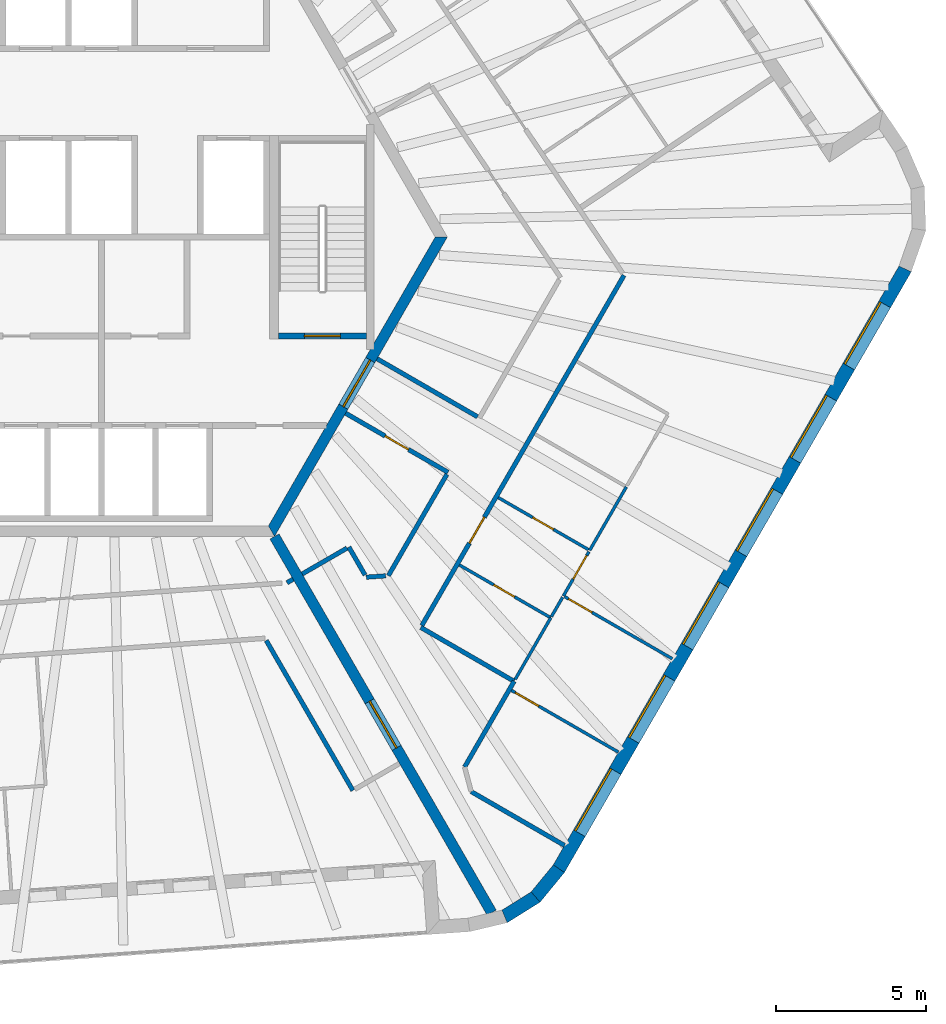
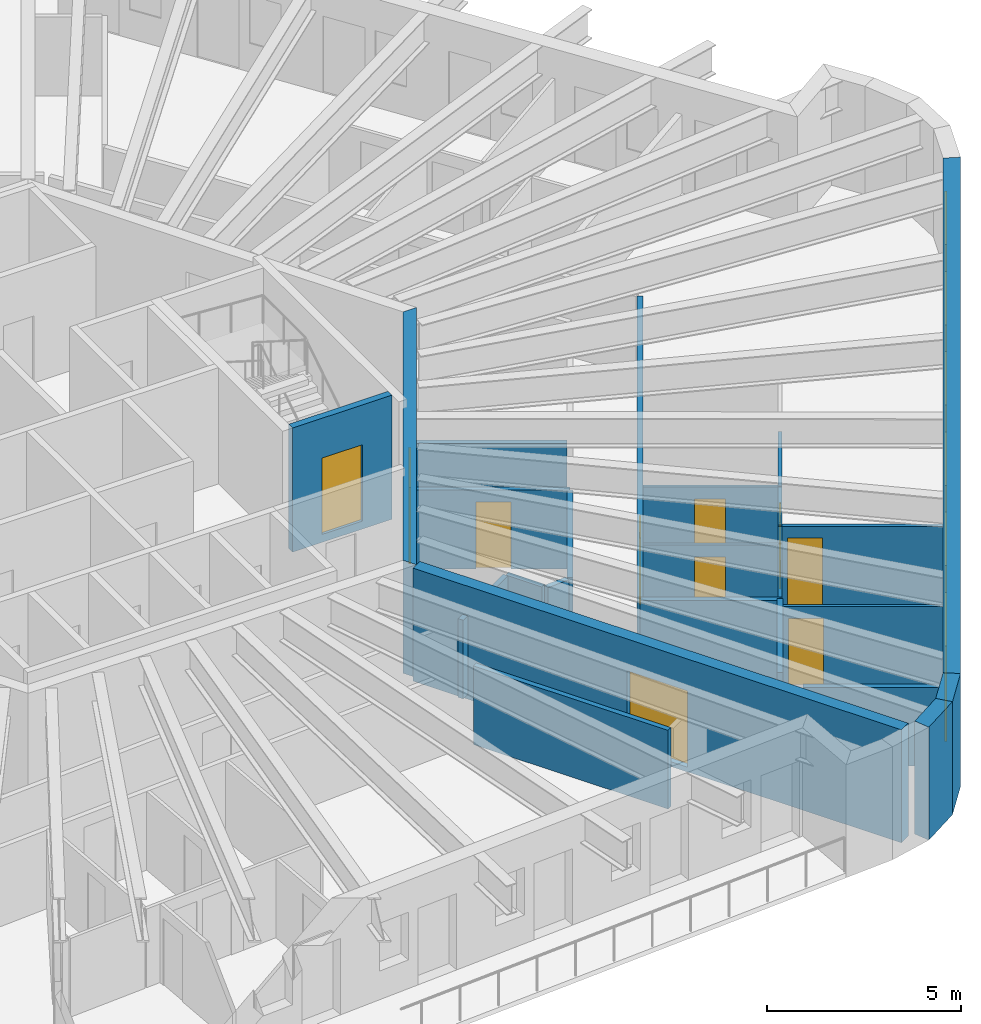
# One storey, part 6 of 11: 26 walls, 10 doors, 6 windows, 16 openings.
"""IFC4 building model written with IfcOpenShell, lengths in metres."""

from ifc_helpers import new_model, si_unit, direction, frame, frame_2d, origin, place, context, subcontext, project, spatial, polyline, rectangle, outline, extrude, material, layer, layer_set, type_object, element, fill, save


model = new_model("IFC4")

# Units and contexts
model_context = context("Model", 3, precision=1e-05, world=origin(), true_north=direction((0.0, 1.0)))
body_context = subcontext(model_context, "Body", "Model", "MODEL_VIEW")
ifc_project = project(units=[si_unit("LENGTHUNIT", "METRE"), si_unit("AREAUNIT", "SQUARE_METRE"), si_unit("VOLUMEUNIT", "CUBIC_METRE"), si_unit("PLANEANGLEUNIT", "RADIAN"), si_unit("MASSUNIT", "GRAM", prefix="KILO")], contexts=[model_context])

# Site, building, storey
site_placement = place(None, origin())
site = spatial("IfcSite", under=ifc_project, at=site_placement, CompositionType="ELEMENT")
building_placement = place(site_placement, origin())
building = spatial("IfcBuilding", under=site, at=building_placement, Name="Tarnside Tower", CompositionType="ELEMENT")
storey_placement = place(building_placement, frame((0.0, 0.0, 372.89990234375)))
storey = spatial("IfcBuildingStorey", under=building, at=storey_placement, Name="L90", CompositionType="ELEMENT", Elevation=372.89990234375)

# Wall
ifc_material_1 = material(Name="Gypsum board partition on steel studs", Category="steel")
ifc_layer_1 = layer(ifc_material_1, 0.10009765625)
ifc_layer_set_1 = layer_set([ifc_layer_1], Name="Bathroom wall 100")
wall_type_1 = type_object("IfcWallType", Name="Bathroom wall 100", PredefinedType="PARTITIONING", material=ifc_layer_set_1)
wall_1_placement = place(storey_placement, frame((17.526611328125, -8.343017578125, 0.0), z_axis=(0.0, 0.0, 1.0), x_axis=(-0.500018594424, -0.866014668023, 0.0)))
element("IfcWall", 1, at=wall_1_placement, inside=storey, type_object=wall_type_1, Name="Bathroom wall 29133", PredefinedType="PARTITIONING", context=body_context, shape_type="SweptSolid", body=[
    extrude(rectangle(XDim=2.4501953125, YDim=0.10009765625, at=frame_2d((1.22509765625, 0.0))), origin(), (0.0, 0.0, 1.0), 2.47021484375),
])

# Wall, opening, door
wall_2_placement = place(storey_placement, frame((11.948974609375, -10.953857421875, 0.0), z_axis=(0.0, 0.0, 1.0), x_axis=(0.866001044215, -0.500042189638, 0.0)))
wall_2 = element("IfcWall", 2, at=wall_2_placement, inside=storey, type_object=wall_type_1, Name="Bathroom wall 29138", PredefinedType="PARTITIONING", context=body_context, shape_type="SweptSolid", body=[
    extrude(rectangle(XDim=3.525146484375, YDim=0.10009765625, at=frame_2d((1.7626953125, 0.0))), origin(), (0.0, 0.0, 1.0), 2.47021484375),
])
opening_1_placement = place(wall_2_placement, frame((1.324951171875, 0.0, 0.0)))
opening_1 = element("IfcOpeningElement", 3, at=opening_1_placement, cuts=wall_2, Name="Opening D-B1", PredefinedType="OPENING", context=body_context, shape_type="SweptSolid", body=[
    extrude(rectangle(XDim=0.800048828125, YDim=2.10009765625, at=frame_2d((0.39990234375, 1.050048828125))), frame((0.0, 0.06005859375, 0.0), z_axis=(0.0, -1.0, 0.0), x_axis=(1.0, 0.0, 0.0)), (0.0, 0.0, 1.0), 0.1201171875),
])
ifc_material_2 = material(Name="Timber door leaf", Category="wood")
door_type_1 = type_object("IfcDoorType", Name="Bathroom door 800", OperationType="NOTDEFINED", PredefinedType="DOOR", material=ifc_material_2)
door_1_placement = place(opening_1_placement, origin())
door_1 = element("IfcDoor", 4, at=door_1_placement, inside=storey, type_object=door_type_1, Name="Bathroom door 29042", OperationType="SINGLE_SWING_RIGHT", OverallHeight=2.10009765625, OverallWidth=0.800048828125, PredefinedType="DOOR", context=body_context, shape_type="SweptSolid", body=[
    extrude(rectangle(XDim=0.800048828125, YDim=2.10009765625, at=frame_2d((0.39990234375, 1.050048828125))), frame((0.0, 0.02490234375, 0.0), z_axis=(0.0, -1.0, 0.0), x_axis=(1.0, 0.0, 0.0)), (0.0, 0.0, 1.0), 0.050048828125),
])
fill(opening_1, door_1)

wall_3_placement = place(storey_placement, frame((16.25830078125, -10.439697265625, 0.0), z_axis=(0.0, 0.0, 1.0), x_axis=(-0.866055725969, 0.499947476758, 0.0)))
wall_3 = element("IfcWall", 5, at=wall_3_placement, inside=storey, type_object=wall_type_1, Name="Bathroom wall 29140", PredefinedType="PARTITIONING", context=body_context, shape_type="SweptSolid", body=[
    extrude(rectangle(XDim=3.474853515625, YDim=0.10009765625, at=frame_2d((1.7373046875, 0.0))), origin(), (0.0, 0.0, 1.0), 2.47021484375),
])
opening_2_placement = place(wall_3_placement, frame((1.35009765625, 0.0, 0.0)))
opening_2 = element("IfcOpeningElement", 6, at=opening_2_placement, cuts=wall_3, Name="Opening D-B1", PredefinedType="OPENING", context=body_context, shape_type="SweptSolid", body=[
    extrude(rectangle(XDim=0.800048828125, YDim=2.10009765625, at=frame_2d((0.39990234375, 1.050048828125))), frame((0.0, 0.06005859375, 0.0), z_axis=(0.0, -1.0, 0.0), x_axis=(1.0, 0.0, 0.0)), (0.0, 0.0, 1.0), 0.1201171875),
])
door_2_placement = place(opening_2_placement, origin())
door_2 = element("IfcDoor", 7, at=door_2_placement, inside=storey, type_object=door_type_1, Name="Bathroom door 29048", OperationType="SINGLE_SWING_LEFT", OverallHeight=2.10009765625, OverallWidth=0.800048828125, PredefinedType="DOOR", context=body_context, shape_type="SweptSolid", body=[
    extrude(rectangle(XDim=0.800048828125, YDim=2.10009765625, at=frame_2d((0.39990234375, 1.050048828125))), frame((0.0, 0.02490234375, 0.0), z_axis=(0.0, -1.0, 0.0), x_axis=(1.0, 0.0, 0.0)), (0.0, 0.0, 1.0), 0.050048828125),
])
fill(opening_2, door_2)

# Wall
wall_4_placement = place(storey_placement, frame((13.81298828125, -14.77490234375, 0.0), z_axis=(0.0, 0.0, 1.0), x_axis=(0.500101476366, 0.86596680845, 0.0)))
element("IfcWall", 8, at=wall_4_placement, inside=storey, type_object=wall_type_1, Name="Bathroom wall 29141", PredefinedType="PARTITIONING", context=body_context, shape_type="SweptSolid", body=[
    extrude(rectangle(XDim=2.37890625, YDim=0.10009765625, at=frame_2d((1.189453125, 0.0))), origin(), (0.0, 0.0, 1.0), 2.47021484375),
])

# Wall, opening, door
ifc_material_3 = material(Name="Concrete C50/60", Category="concrete")
ifc_layer_2 = layer(ifc_material_3, 0.35009765625)
ifc_layer_set_2 = layer_set([ifc_layer_2], Name="Core wall Z4 350 C50/60")
wall_type_2 = type_object("IfcWallType", Name="Core wall Z4 350 C50/60", PredefinedType="SHEAR", material=ifc_layer_set_2)
wall_5_placement = place(storey_placement, frame((5.672607421875, -9.824951171875, -0.14990234375), z_axis=(0.0, 0.0, 1.0), x_axis=(0.499995046907, 0.866028263435, 0.0)))
wall_5 = element("IfcWall", 9, at=wall_5_placement, inside=storey, type_object=wall_type_2, Name="L90 core wall face 5", PredefinedType="SHEAR", context=body_context, shape_type="SweptSolid", body=[
    extrude(outline(polyline([(-0.10107421875, -0.175048828125), (11.44580078125, -0.175048828125), (11.24365234375, 0.175048828125), (0.10107421875, 0.175048828125), (-0.10107421875, -0.175048828125)])), origin(), (0.0, 0.0, 1.0), 3.550048828125),
])
opening_3_placement = place(wall_5_placement, frame((4.80126953125, 0.0, 0.14990234375)))
opening_3 = element("IfcOpeningElement", 10, at=opening_3_placement, cuts=wall_5, Name="Opening CD-FFL", PredefinedType="OPENING", context=body_context, shape_type="SweptSolid", body=[
    extrude(rectangle(XDim=1.800048828125, YDim=2.39990234375, at=frame_2d((0.89990234375, 1.199951171875))), frame((0.0, 0.18505859375, 0.0), z_axis=(0.0, -1.0, 0.0), x_axis=(1.0, 0.0, 0.0)), (0.0, 0.0, 1.0), 0.3701171875),
])
ifc_material_4 = material(Name="Steel fire door", Category="steel")
door_type_2 = type_object("IfcDoorType", Name="Firefighting lobby double door FD60S 1800x2400", OperationType="NOTDEFINED", PredefinedType="DOOR", material=ifc_material_4)
door_3_placement = place(opening_3_placement, origin())
door_3 = element("IfcDoor", 11, at=door_3_placement, inside=storey, type_object=door_type_2, Name="L90 core door P4", OperationType="DOUBLE_DOOR_SINGLE_SWING", OverallHeight=2.39990234375, OverallWidth=1.800048828125, PredefinedType="DOOR", context=body_context, shape_type="SweptSolid", body=[
    extrude(rectangle(XDim=1.800048828125, YDim=2.39990234375, at=frame_2d((0.89990234375, 1.199951171875))), frame((0.0, 0.02490234375, 0.0), z_axis=(0.0, -1.0, 0.0), x_axis=(1.0, 0.0, 0.0)), (0.0, 0.0, 1.0), 0.050048828125),
])
fill(opening_3, door_3)

wall_6_placement = place(storey_placement, frame((5.7734375, -10.0, -0.14990234375), z_axis=(0.0, 0.0, 1.0), x_axis=(0.500007911273, -0.866020836161, 0.0)))
wall_6 = element("IfcWall", 12, at=wall_6_placement, inside=storey, type_object=wall_type_2, Name="L90 spine wall 3", PredefinedType="SHEAR", context=body_context, shape_type="SweptSolid", body=[
    extrude(rectangle(XDim=14.510498046875, YDim=0.35009765625, at=frame_2d((7.25537109375, 0.0))), origin(), (0.0, 0.0, 1.0), 3.550048828125),
])
opening_4_placement = place(wall_6_placement, frame((6.355224609375, 0.0, 0.14990234375)))
opening_4 = element("IfcOpeningElement", 13, at=opening_4_placement, cuts=wall_6, Name="Opening CD-SPN", PredefinedType="OPENING", context=body_context, shape_type="SweptSolid", body=[
    extrude(rectangle(XDim=1.800048828125, YDim=2.39990234375, at=frame_2d((0.89990234375, 1.199951171875))), frame((0.0, 0.18505859375, 0.0), z_axis=(0.0, -1.0, 0.0), x_axis=(1.0, 0.0, 0.0)), (0.0, 0.0, 1.0), 0.3701171875),
])
door_type_3 = type_object("IfcDoorType", Name="Spine passage double door FD60 1800x2400", OperationType="NOTDEFINED", PredefinedType="DOOR", material=ifc_material_4)
door_4_placement = place(opening_4_placement, origin())
door_4 = element("IfcDoor", 14, at=door_4_placement, inside=storey, type_object=door_type_3, Name="L90 spine passage door 3", OperationType="DOUBLE_DOOR_SINGLE_SWING", OverallHeight=2.39990234375, OverallWidth=1.800048828125, PredefinedType="DOOR", context=body_context, shape_type="SweptSolid", body=[
    extrude(rectangle(XDim=1.800048828125, YDim=2.39990234375, at=frame_2d((0.89990234375, 1.199951171875))), frame((0.0, 0.02490234375, 0.0), z_axis=(0.0, -1.0, 0.0), x_axis=(1.0, 0.0, 0.0)), (0.0, 0.0, 1.0), 0.050048828125),
])
fill(opening_4, door_4)

# Walls
ifc_layer_3 = layer(ifc_material_1, 0.14990234375)
ifc_layer_set_3 = layer_set([ifc_layer_3], Name="Corridor wall 150 EI 60")
wall_type_3 = type_object("IfcWallType", Name="Corridor wall 150 EI 60", PredefinedType="PARTITIONING", material=ifc_layer_set_3)
wall_7_placement = place(storey_placement, frame((5.498779296875, -13.474365234375, 0.0), z_axis=(0.0, 0.0, 1.0), x_axis=(0.500002592159, -0.866023907196, 0.0)))
element("IfcWall", 15, at=wall_7_placement, inside=storey, type_object=wall_type_3, Name="Corridor wall 29038", PredefinedType="PARTITIONING", context=body_context, shape_type="SweptSolid", body=[
    extrude(rectangle(XDim=5.78369140625, YDim=0.14990234375, at=frame_2d((2.891845703125, 0.0))), origin(), (0.0, 0.0, 1.0), 2.47021484375),
])
wall_8_placement = place(storey_placement, frame((6.396240234375, -11.4287109375, 0.0), z_axis=(0.0, 0.0, 1.0), x_axis=(-0.866254745882, -0.499602557277, 0.0)))
element("IfcWall", 16, at=wall_8_placement, inside=storey, type_object=wall_type_3, Name="Corridor wall 29047", PredefinedType="PARTITIONING", context=body_context, shape_type="SweptSolid", body=[
    extrude(rectangle(XDim=0.235107421875, YDim=0.14990234375, at=frame_2d((0.11767578125, 0.0))), origin(), (0.0, 0.0, 1.0), 2.47021484375),
])

# Wall, opening, door
wall_9_placement = place(storey_placement, frame((10.696533203125, -12.973388671875, 0.0), z_axis=(0.0, 0.0, 1.0), x_axis=(0.499991115059, 0.866030533446, 0.0)))
wall_9 = element("IfcWall", 17, at=wall_9_placement, inside=storey, type_object=wall_type_3, Name="Corridor wall 29051", PredefinedType="PARTITIONING", context=body_context, shape_type="SweptSolid", body=[
    extrude(rectangle(XDim=13.503662109375, YDim=0.14990234375, at=frame_2d((6.751953125, 0.0))), origin(), (0.0, 0.0, 1.0), 2.47021484375),
])
opening_5_placement = place(wall_9_placement, frame((3.175048828125, 0.0, 0.0)))
opening_5 = element("IfcOpeningElement", 18, at=opening_5_placement, cuts=wall_9, Name="Opening D-E1", PredefinedType="OPENING", context=body_context, shape_type="SweptSolid", body=[
    extrude(rectangle(XDim=1.0, YDim=2.10009765625, at=frame_2d((0.5, 1.050048828125))), frame((0.0, 0.0849609375, 0.0), z_axis=(0.0, -1.0, 0.0), x_axis=(1.0, 0.0, 0.0)), (0.0, 0.0, 1.0), 0.169921875),
])
door_type_4 = type_object("IfcDoorType", Name="Unit entrance door 1000 FD30S", OperationType="NOTDEFINED", PredefinedType="DOOR", material=ifc_material_2)
door_5_placement = place(opening_5_placement, origin())
door_5 = element("IfcDoor", 19, at=door_5_placement, inside=storey, type_object=door_type_4, Name="Unit door 29041", OperationType="SINGLE_SWING_LEFT", OverallHeight=2.10009765625, OverallWidth=1.0, PredefinedType="DOOR", context=body_context, shape_type="SweptSolid", body=[
    extrude(rectangle(XDim=1.0, YDim=2.10009765625, at=frame_2d((0.5, 1.050048828125))), frame((0.0, 0.02490234375, 0.0), z_axis=(0.0, -1.0, 0.0), x_axis=(1.0, 0.0, 0.0)), (0.0, 0.0, 1.0), 0.050048828125),
])
fill(opening_5, door_5)

# Walls
wall_10_placement = place(storey_placement, frame((13.776611328125, -14.838134765625, 0.0), z_axis=(0.0, 0.0, 1.0), x_axis=(-0.866047807691, 0.499961193289, 0.0)))
element("IfcWall", 20, at=wall_10_placement, inside=storey, type_object=wall_type_3, Name="Corridor wall 29054", PredefinedType="PARTITIONING", context=body_context, shape_type="SweptSolid", body=[
    extrude(rectangle(XDim=3.599853515625, YDim=0.14990234375, at=frame_2d((1.7998046875, 0.0))), origin(), (0.0, 0.0, 1.0), 2.47021484375),
])
wall_11_placement = place(storey_placement, frame((12.12353515625, -17.701416015625, 0.0), z_axis=(0.0, 0.0, 1.0), x_axis=(0.500018282537, 0.866014848099, 0.0)))
element("IfcWall", 21, at=wall_11_placement, inside=storey, type_object=wall_type_3, Name="Corridor wall 29056", PredefinedType="PARTITIONING", context=body_context, shape_type="SweptSolid", body=[
    extrude(rectangle(XDim=3.31005859375, YDim=0.14990234375, at=frame_2d((1.655029296875, 0.0))), origin(), (0.0, 0.0, 1.0), 2.47021484375),
])
wall_12_placement = place(storey_placement, frame((15.460693359375, -20.3212890625, 0.0), z_axis=(0.0, 0.0, 1.0), x_axis=(-0.866030854095, 0.499990559667, 0.0)))
element("IfcWall", 22, at=wall_12_placement, inside=storey, type_object=wall_type_3, Name="Corridor wall 29058", PredefinedType="PARTITIONING", context=body_context, shape_type="SweptSolid", body=[
    extrude(rectangle(XDim=3.599609375, YDim=0.14990234375, at=frame_2d((1.7998046875, 0.0))), origin(), (0.0, 0.0, 1.0), 2.47021484375),
])
wall_13_placement = place(storey_placement, frame((12.555419921875, -6.003173828125, 0.0), z_axis=(0.0, 0.0, 1.0), x_axis=(-0.866016658288, 0.500015147339, 0.0)))
element("IfcWall", 23, at=wall_13_placement, inside=storey, type_object=wall_type_3, Name="Corridor wall 29071", PredefinedType="PARTITIONING", context=body_context, shape_type="SweptSolid", body=[
    extrude(rectangle(XDim=3.875, YDim=0.14990234375, at=frame_2d((1.9375, 0.0))), origin(), (0.0, 0.0, 1.0), 2.47021484375),
])

# Wall, opening, door
wall_14_placement = place(storey_placement, frame((8.149658203125, -5.88427734375, 0.0), z_axis=(0.0, 0.0, 1.0), x_axis=(0.866020906874, -0.500007788796, 0.0)))
wall_14 = element("IfcWall", 24, at=wall_14_placement, inside=storey, type_object=wall_type_3, Name="Corridor wall 29072", PredefinedType="PARTITIONING", context=body_context, shape_type="SweptSolid", body=[
    extrude(rectangle(XDim=3.9501953125, YDim=0.14990234375, at=frame_2d((1.97509765625, 0.0))), origin(), (0.0, 0.0, 1.0), 2.47021484375),
])
opening_6_placement = place(wall_14_placement, frame((1.52490234375, 0.0, 0.0)))
opening_6 = element("IfcOpeningElement", 25, at=opening_6_placement, cuts=wall_14, Name="Opening D-S1", PredefinedType="OPENING", context=body_context, shape_type="SweptSolid", body=[
    extrude(rectangle(XDim=0.89990234375, YDim=2.10009765625, at=frame_2d((0.449951171875, 1.050048828125))), frame((0.0, 0.0849609375, 0.0), z_axis=(0.0, -1.0, 0.0), x_axis=(1.0, 0.0, 0.0)), (0.0, 0.0, 1.0), 0.169921875),
])
door_type_5 = type_object("IfcDoorType", Name="Service room door 900 FD30S", OperationType="NOTDEFINED", PredefinedType="DOOR", material=ifc_material_2)
door_6_placement = place(opening_6_placement, origin())
door_6 = element("IfcDoor", 26, at=door_6_placement, inside=storey, type_object=door_type_5, Name="Service door 29062", OperationType="SINGLE_SWING_LEFT", OverallHeight=2.10009765625, OverallWidth=0.89990234375, PredefinedType="DOOR", context=body_context, shape_type="SweptSolid", body=[
    extrude(rectangle(XDim=0.89990234375, YDim=2.10009765625, at=frame_2d((0.449951171875, 1.050048828125))), frame((0.0, 0.02490234375, 0.0), z_axis=(0.0, -1.0, 0.0), x_axis=(1.0, 0.0, 0.0)), (0.0, 0.0, 1.0), 0.050048828125),
])
fill(opening_6, door_6)

# Walls
wall_15_placement = place(storey_placement, frame((11.532958984375, -7.92431640625, 0.0), z_axis=(0.0, 0.0, 1.0), x_axis=(-0.500001804394, -0.866024362014, 0.0)))
element("IfcWall", 27, at=wall_15_placement, inside=storey, type_object=wall_type_3, Name="Corridor wall 29073", PredefinedType="PARTITIONING", context=body_context, shape_type="SweptSolid", body=[
    extrude(rectangle(XDim=3.90869140625, YDim=0.14990234375, at=frame_2d((1.954345703125, 0.0))), origin(), (0.0, 0.0, 1.0), 2.47021484375),
])
wall_16_placement = place(storey_placement, frame((9.48828125, -11.315673828125, 0.0), z_axis=(0.0, 0.0, 1.0), x_axis=(-0.997556873667, -0.06985902805, 0.0)))
element("IfcWall", 28, at=wall_16_placement, inside=storey, type_object=wall_type_3, Name="Corridor wall 29074", PredefinedType="PARTITIONING", context=body_context, shape_type="SweptSolid", body=[
    extrude(rectangle(XDim=0.650146484375, YDim=0.14990234375, at=frame_2d((0.3251953125, 0.0))), origin(), (0.0, 0.0, 1.0), 2.47021484375),
])
wall_17_placement = place(storey_placement, frame((8.798095703125, -11.288818359375, 0.0), z_axis=(0.0, 0.0, 1.0), x_axis=(-0.499859449273, 0.866106535579, 0.0)))
element("IfcWall", 29, at=wall_17_placement, inside=storey, type_object=wall_type_3, Name="Corridor wall 29075", PredefinedType="PARTITIONING", context=body_context, shape_type="SweptSolid", body=[
    extrude(rectangle(XDim=1.079833984375, YDim=0.14990234375, at=frame_2d((0.5400390625, 0.0))), origin(), (0.0, 0.0, 1.0), 2.47021484375),
])
wall_18_placement = place(storey_placement, frame((8.193359375, -10.39111328125, 0.0), z_axis=(0.0, 0.0, 1.0), x_axis=(-0.866013532718, -0.500020560727, 0.0)))
element("IfcWall", 30, at=wall_18_placement, inside=storey, type_object=wall_type_3, Name="Corridor wall 29076", PredefinedType="PARTITIONING", context=body_context, shape_type="SweptSolid", body=[
    extrude(rectangle(XDim=1.72509765625, YDim=0.14990234375, at=frame_2d((0.862548828125, 0.0))), origin(), (0.0, 0.0, 1.0), 2.47021484375),
])

# Wall, opening, door
ifc_material_5 = material(Name="Concrete C40/50", Category="concrete")
ifc_layer_4 = layer(ifc_material_5, 0.199951171875)
ifc_layer_set_4 = layer_set([ifc_layer_4], Name="Lift shaft wall 200 C40/50")
wall_type_4 = type_object("IfcWallType", Name="Lift shaft wall 200 C40/50", PredefinedType="SHEAR", material=ifc_layer_set_4)
wall_19_placement = place(storey_placement, frame((5.89990234375, -3.300048828125, -0.25), z_axis=(0.0, 0.0, 1.0), x_axis=(1.0, 0.0, 0.0)))
wall_19 = element("IfcWall", 31, at=wall_19_placement, inside=storey, type_object=wall_type_4, Name="L90 stair 1 enclosure cap wall s", PredefinedType="SHEAR", context=body_context, shape_type="SweptSolid", body=[
    extrude(rectangle(XDim=2.9501953125, YDim=0.199951171875, at=frame_2d((1.47509765625, 0.0))), origin(), (0.0, 0.0, 1.0), 3.900146484375),
])
opening_7_placement = place(wall_19_placement, frame((0.875, 0.0, 0.25)))
opening_7 = element("IfcOpeningElement", 32, at=opening_7_placement, cuts=wall_19, Name="Opening CD-STR", PredefinedType="OPENING", context=body_context, shape_type="SweptSolid", body=[
    extrude(rectangle(XDim=1.199951171875, YDim=2.39990234375, at=frame_2d((0.60009765625, 1.199951171875))), frame((0.0, 0.10986328125, 0.0), z_axis=(0.0, -1.0, 0.0), x_axis=(1.0, 0.0, 0.0)), (0.0, 0.0, 1.0), 0.219970703125),
])
door_type_6 = type_object("IfcDoorType", Name="Stair door FD60S 1200x2400", OperationType="NOTDEFINED", PredefinedType="DOOR", material=ifc_material_4)
door_7_placement = place(opening_7_placement, origin())
door_7 = element("IfcDoor", 33, at=door_7_placement, inside=storey, type_object=door_type_6, Name="L90 stair 1 door", OperationType="SINGLE_SWING_LEFT", OverallHeight=2.39990234375, OverallWidth=1.199951171875, PredefinedType="DOOR", context=body_context, shape_type="SweptSolid", body=[
    extrude(rectangle(XDim=1.199951171875, YDim=2.39990234375, at=frame_2d((0.60009765625, 1.199951171875))), frame((0.0, 0.02490234375, 0.0), z_axis=(0.0, -1.0, 0.0), x_axis=(1.0, 0.0, 0.0)), (0.0, 0.0, 1.0), 0.050048828125),
])
fill(opening_7, door_7)

ifc_layer_5 = layer(ifc_material_1, 0.10009765625)
ifc_layer_set_5 = layer_set([ifc_layer_5], Name="Partition 100")
wall_type_5 = type_object("IfcWallType", Name="Partition 100", PredefinedType="PARTITIONING", material=ifc_layer_set_5)
wall_20_placement = place(storey_placement, frame((16.276611328125, -10.508056640625, 0.0), z_axis=(0.0, 0.0, 1.0), x_axis=(-0.500027584368, -0.866009477356, 0.0)))
wall_20 = element("IfcWall", 34, at=wall_20_placement, inside=storey, type_object=wall_type_5, Name="Partition wall 29131", PredefinedType="PARTITIONING", context=body_context, shape_type="SweptSolid", body=[
    extrude(rectangle(XDim=1.70849609375, YDim=0.10009765625, at=frame_2d((0.854248046875, 0.0))), origin(), (0.0, 0.0, 1.0), 2.47021484375),
])
opening_8_placement = place(wall_20_placement, frame((0.14990234375, 0.0, 0.0)))
opening_8 = element("IfcOpeningElement", 35, at=opening_8_placement, cuts=wall_20, Name="Opening D-I1", PredefinedType="OPENING", context=body_context, shape_type="SweptSolid", body=[
    extrude(rectangle(XDim=0.89990234375, YDim=2.10009765625, at=frame_2d((0.449951171875, 1.050048828125))), frame((0.0, 0.06005859375, 0.0), z_axis=(0.0, -1.0, 0.0), x_axis=(1.0, 0.0, 0.0)), (0.0, 0.0, 1.0), 0.1201171875),
])
door_type_7 = type_object("IfcDoorType", Name="Internal door 900", OperationType="NOTDEFINED", PredefinedType="DOOR", material=ifc_material_2)
door_8_placement = place(opening_8_placement, origin())
door_8 = element("IfcDoor", 36, at=door_8_placement, inside=storey, type_object=door_type_7, Name="Internal door 29043", OperationType="SINGLE_SWING_RIGHT", OverallHeight=2.10009765625, OverallWidth=0.89990234375, PredefinedType="DOOR", context=body_context, shape_type="SweptSolid", body=[
    extrude(rectangle(XDim=0.89990234375, YDim=2.10009765625, at=frame_2d((0.449951171875, 1.050048828125))), frame((0.0, 0.02490234375, 0.0), z_axis=(0.0, -1.0, 0.0), x_axis=(1.0, 0.0, 0.0)), (0.0, 0.0, 1.0), 0.050048828125),
])
fill(opening_8, door_8)

wall_21_placement = place(storey_placement, frame((15.466796875, -12.010986328125, 0.0), z_axis=(0.0, 0.0, 1.0), x_axis=(0.86602981871, -0.499992353047, 0.0)))
wall_21 = element("IfcWall", 37, at=wall_21_placement, inside=storey, type_object=wall_type_5, Name="Partition wall 29132", PredefinedType="PARTITIONING", context=body_context, shape_type="SweptSolid", body=[
    extrude(rectangle(XDim=4.14990234375, YDim=0.10009765625, at=frame_2d((2.074951171875, 0.0))), origin(), (0.0, 0.0, 1.0), 2.47021484375),
])
opening_9_placement = place(wall_21_placement, frame((0.14990234375, 0.0, 0.0)))
opening_9 = element("IfcOpeningElement", 38, at=opening_9_placement, cuts=wall_21, Name="Opening D-I1", PredefinedType="OPENING", context=body_context, shape_type="SweptSolid", body=[
    extrude(rectangle(XDim=0.89990234375, YDim=2.10009765625, at=frame_2d((0.449951171875, 1.050048828125))), frame((0.0, 0.06005859375, 0.0), z_axis=(0.0, -1.0, 0.0), x_axis=(1.0, 0.0, 0.0)), (0.0, 0.0, 1.0), 0.1201171875),
])
door_9_placement = place(opening_9_placement, origin())
door_9 = element("IfcDoor", 39, at=door_9_placement, inside=storey, type_object=door_type_7, Name="Internal door 29047", OperationType="SINGLE_SWING_RIGHT", OverallHeight=2.10009765625, OverallWidth=0.89990234375, PredefinedType="DOOR", context=body_context, shape_type="SweptSolid", body=[
    extrude(rectangle(XDim=0.89990234375, YDim=2.10009765625, at=frame_2d((0.449951171875, 1.050048828125))), frame((0.0, 0.02490234375, 0.0), z_axis=(0.0, -1.0, 0.0), x_axis=(1.0, 0.0, 0.0)), (0.0, 0.0, 1.0), 0.050048828125),
])
fill(opening_9, door_9)

# Wall
wall_22_placement = place(storey_placement, frame((15.025634765625, -12.6748046875, 0.0), z_axis=(0.0, 0.0, 1.0), x_axis=(0.500119347963, 0.86595648724, 0.0)))
element("IfcWall", 40, at=wall_22_placement, inside=storey, type_object=wall_type_5, Name="Partition wall 29139", PredefinedType="PARTITIONING", context=body_context, shape_type="SweptSolid", body=[
    extrude(rectangle(XDim=0.745361328125, YDim=0.10009765625, at=frame_2d((0.37255859375, 0.0))), origin(), (0.0, 0.0, 1.0), 2.47021484375),
])

# Wall, opening, door
wall_23_placement = place(storey_placement, frame((17.2607421875, -17.20361328125, 0.0), z_axis=(0.0, 0.0, 1.0), x_axis=(-0.866034795751, 0.499983732284, 0.0)))
wall_23 = element("IfcWall", 41, at=wall_23_placement, inside=storey, type_object=wall_type_5, Name="Partition wall 29142", PredefinedType="PARTITIONING", context=body_context, shape_type="SweptSolid", body=[
    extrude(rectangle(XDim=4.125244140625, YDim=0.10009765625, at=frame_2d((2.0625, 0.0))), origin(), (0.0, 0.0, 1.0), 2.47021484375),
])
opening_10_placement = place(wall_23_placement, frame((3.074951171875, 0.0, 0.0)))
opening_10 = element("IfcOpeningElement", 42, at=opening_10_placement, cuts=wall_23, Name="Opening D-I1", PredefinedType="OPENING", context=body_context, shape_type="SweptSolid", body=[
    extrude(rectangle(XDim=0.89990234375, YDim=2.10009765625, at=frame_2d((0.449951171875, 1.050048828125))), frame((0.0, 0.06005859375, 0.0), z_axis=(0.0, -1.0, 0.0), x_axis=(1.0, 0.0, 0.0)), (0.0, 0.0, 1.0), 0.1201171875),
])
door_10_placement = place(opening_10_placement, origin())
door_10 = element("IfcDoor", 43, at=door_10_placement, inside=storey, type_object=door_type_7, Name="Internal door 29046", OperationType="SINGLE_SWING_RIGHT", OverallHeight=2.10009765625, OverallWidth=0.89990234375, PredefinedType="DOOR", context=body_context, shape_type="SweptSolid", body=[
    extrude(rectangle(XDim=0.89990234375, YDim=2.10009765625, at=frame_2d((0.449951171875, 1.050048828125))), frame((0.0, 0.02490234375, 0.0), z_axis=(0.0, -1.0, 0.0), x_axis=(1.0, 0.0, 0.0)), (0.0, 0.0, 1.0), 0.050048828125),
])
fill(opening_10, door_10)

# Walls
ifc_material_6 = material(Name="Facing brick", Category="masonry")
ifc_layer_6 = layer(ifc_material_6, 0.10205078125)
ifc_material_7 = material(Name="Concrete C60/75 precast", Category="concrete")
ifc_layer_7 = layer(ifc_material_7, 0.248046875)
ifc_material_8 = material(Name="Mineral wool insulation")
ifc_layer_8 = layer(ifc_material_8, 0.10009765625)
ifc_layer_set_6 = layer_set([ifc_layer_6, ifc_layer_7, ifc_layer_8], Name="Tube wall 450 brick faced")
wall_type_6 = type_object("IfcWallType", Name="Tube wall 450 brick faced", PredefinedType="SOLIDWALL", material=ifc_layer_set_6)
wall_24_placement = place(storey_placement, frame((13.458251953125, -22.69287109375, -0.14990234375), z_axis=(0.0, 0.0, 1.0), x_axis=(0.848009505552, 0.529981017107, 0.0)))
element("IfcWall", 44, at=wall_24_placement, inside=storey, type_object=wall_type_6, Name="Tube wall L90 F4 chord 22", PredefinedType="SOLIDWALL", context=body_context, shape_type="SweptSolid", body=[
    extrude(outline(polyline([(-0.036865234375, -0.22509765625), (1.26123046875, -0.22509765625), (1.1875, 0.22509765625), (0.036865234375, 0.22509765625), (-0.036865234375, -0.22509765625)])), origin(), (0.0, 0.0, 1.0), 3.550048828125),
])
wall_25_placement = place(storey_placement, frame((14.49658203125, -22.0439453125, -0.14990234375), z_axis=(0.0, 0.0, 1.0), x_axis=(0.633867343651, 0.773441782329, 0.0)))
element("IfcWall", 45, at=wall_25_placement, inside=storey, type_object=wall_type_6, Name="Tube wall L90 F4 chord 23", PredefinedType="SOLIDWALL", context=body_context, shape_type="SweptSolid", body=[
    extrude(outline(polyline([(-0.036865234375, -0.22509765625), (1.24267578125, -0.22509765625), (1.2060546875, 0.22509765625), (0.036865234375, 0.22509765625), (-0.036865234375, -0.22509765625)])), origin(), (0.0, 0.0, 1.0), 3.550048828125),
])

# Wall, openings, windows
wall_26_placement = place(storey_placement, frame((15.272705078125, -21.096923828125, -0.14990234375), z_axis=(0.0, 0.0, 1.0), x_axis=(0.499997453958, 0.866026873738, 0.0)))
wall_26 = element("IfcWall", 46, at=wall_26_placement, inside=storey, type_object=wall_type_6, Name="Tube wall L90 F5 flush 24", PredefinedType="SOLIDWALL", context=body_context, shape_type="SweptSolid", body=[
    extrude(outline(polyline([(-0.018310546875, -0.22509765625), (23.15234375, -0.22509765625), (23.1103515625, 0.22509765625), (0.018310546875, 0.22509765625), (-0.018310546875, -0.22509765625)])), origin(), (0.0, 0.0, 1.0), 3.550048828125),
])
opening_11_placement = place(wall_26_placement, frame((1.36572265625, 0.0, 0.449951171875)))
opening_11 = element("IfcOpeningElement", 47, at=opening_11_placement, cuts=wall_26, Name="Opening WP", PredefinedType="OPENING", context=body_context, shape_type="SweptSolid", body=[
    extrude(rectangle(XDim=2.39990234375, YDim=3.0, at=frame_2d((1.199951171875, 1.5))), frame((0.0, 0.23486328125, 0.0), z_axis=(0.0, -1.0, 0.0), x_axis=(1.0, 0.0, 0.0)), (0.0, 0.0, 1.0), 0.469970703125),
])
opening_12_placement = place(wall_26_placement, frame((4.9658203125, 0.0, 0.449951171875)))
opening_12 = element("IfcOpeningElement", 48, at=opening_12_placement, cuts=wall_26, Name="Opening WP", PredefinedType="OPENING", context=body_context, shape_type="SweptSolid", body=[
    extrude(rectangle(XDim=2.39990234375, YDim=3.0, at=frame_2d((1.199951171875, 1.5))), frame((0.0, 0.23486328125, 0.0), z_axis=(0.0, -1.0, 0.0), x_axis=(1.0, 0.0, 0.0)), (0.0, 0.0, 1.0), 0.469970703125),
])
opening_13_placement = place(wall_26_placement, frame((8.56591796875, 0.0, 0.449951171875)))
opening_13 = element("IfcOpeningElement", 49, at=opening_13_placement, cuts=wall_26, Name="Opening WP", PredefinedType="OPENING", context=body_context, shape_type="SweptSolid", body=[
    extrude(rectangle(XDim=2.39990234375, YDim=3.0, at=frame_2d((1.199951171875, 1.5))), frame((0.0, 0.23486328125, 0.0), z_axis=(0.0, -1.0, 0.0), x_axis=(1.0, 0.0, 0.0)), (0.0, 0.0, 1.0), 0.469970703125),
])
opening_14_placement = place(wall_26_placement, frame((12.165771484375, 0.0, 0.449951171875)))
opening_14 = element("IfcOpeningElement", 50, at=opening_14_placement, cuts=wall_26, Name="Opening WP", PredefinedType="OPENING", context=body_context, shape_type="SweptSolid", body=[
    extrude(rectangle(XDim=2.39990234375, YDim=3.0, at=frame_2d((1.199951171875, 1.5))), frame((0.0, 0.23486328125, 0.0), z_axis=(0.0, -1.0, 0.0), x_axis=(1.0, 0.0, 0.0)), (0.0, 0.0, 1.0), 0.469970703125),
])
opening_15_placement = place(wall_26_placement, frame((15.765869140625, 0.0, 0.449951171875)))
opening_15 = element("IfcOpeningElement", 51, at=opening_15_placement, cuts=wall_26, Name="Opening WP", PredefinedType="OPENING", context=body_context, shape_type="SweptSolid", body=[
    extrude(rectangle(XDim=2.39990234375, YDim=3.0, at=frame_2d((1.199951171875, 1.5))), frame((0.0, 0.23486328125, 0.0), z_axis=(0.0, -1.0, 0.0), x_axis=(1.0, 0.0, 0.0)), (0.0, 0.0, 1.0), 0.469970703125),
])
opening_16_placement = place(wall_26_placement, frame((19.36572265625, 0.0, 0.449951171875)))
opening_16 = element("IfcOpeningElement", 52, at=opening_16_placement, cuts=wall_26, Name="Opening WP", PredefinedType="OPENING", context=body_context, shape_type="SweptSolid", body=[
    extrude(rectangle(XDim=2.39990234375, YDim=3.0, at=frame_2d((1.199951171875, 1.5))), frame((0.0, 0.23486328125, 0.0), z_axis=(0.0, -1.0, 0.0), x_axis=(1.0, 0.0, 0.0)), (0.0, 0.0, 1.0), 0.469970703125),
])
ifc_material_9 = material(Name="Aluminium-framed double glazing", Category="aluminium")
window_type = type_object("IfcWindowType", Name="Penthouse window 2400 x 3000", PartitioningType="DOUBLE_PANEL_VERTICAL", PredefinedType="WINDOW", material=ifc_material_9)
window_1_placement = place(opening_11_placement, frame((0.0, 0.1552734375, 0.0)))
window_1 = element("IfcWindow", 53, at=window_1_placement, inside=storey, type_object=window_type, Name="E.WN.L90.F5.00", OverallHeight=3.0, OverallWidth=2.39990234375, PartitioningType="DOUBLE_PANEL_VERTICAL", PredefinedType="WINDOW", context=body_context, shape_type="SweptSolid", body=[
    extrude(rectangle(XDim=2.39990234375, YDim=3.0, at=frame_2d((1.199951171875, 1.5))), frame((0.0, 0.030029296875, 0.0), z_axis=(0.0, -1.0, 0.0), x_axis=(1.0, 0.0, 0.0)), (0.0, 0.0, 1.0), 0.06005859375),
])
fill(opening_11, window_1)
window_2_placement = place(opening_12_placement, frame((0.0, 0.1552734375, 0.0)))
window_2 = element("IfcWindow", 54, at=window_2_placement, inside=storey, type_object=window_type, Name="E.WN.L90.F5.01", OverallHeight=3.0, OverallWidth=2.39990234375, PartitioningType="DOUBLE_PANEL_VERTICAL", PredefinedType="WINDOW", context=body_context, shape_type="SweptSolid", body=[
    extrude(rectangle(XDim=2.39990234375, YDim=3.0, at=frame_2d((1.199951171875, 1.5))), frame((0.0, 0.030029296875, 0.0), z_axis=(0.0, -1.0, 0.0), x_axis=(1.0, 0.0, 0.0)), (0.0, 0.0, 1.0), 0.06005859375),
])
fill(opening_12, window_2)
window_3_placement = place(opening_13_placement, frame((0.0, 0.1552734375, 0.0)))
window_3 = element("IfcWindow", 55, at=window_3_placement, inside=storey, type_object=window_type, Name="E.WN.L90.F5.02", OverallHeight=3.0, OverallWidth=2.39990234375, PartitioningType="DOUBLE_PANEL_VERTICAL", PredefinedType="WINDOW", context=body_context, shape_type="SweptSolid", body=[
    extrude(rectangle(XDim=2.39990234375, YDim=3.0, at=frame_2d((1.199951171875, 1.5))), frame((0.0, 0.030029296875, 0.0), z_axis=(0.0, -1.0, 0.0), x_axis=(1.0, 0.0, 0.0)), (0.0, 0.0, 1.0), 0.06005859375),
])
fill(opening_13, window_3)
window_4_placement = place(opening_14_placement, frame((0.0, 0.1552734375, 0.0)))
window_4 = element("IfcWindow", 56, at=window_4_placement, inside=storey, type_object=window_type, Name="E.WN.L90.F5.03", OverallHeight=3.0, OverallWidth=2.39990234375, PartitioningType="DOUBLE_PANEL_VERTICAL", PredefinedType="WINDOW", context=body_context, shape_type="SweptSolid", body=[
    extrude(rectangle(XDim=2.39990234375, YDim=3.0, at=frame_2d((1.199951171875, 1.5))), frame((0.0, 0.030029296875, 0.0), z_axis=(0.0, -1.0, 0.0), x_axis=(1.0, 0.0, 0.0)), (0.0, 0.0, 1.0), 0.06005859375),
])
fill(opening_14, window_4)
window_5_placement = place(opening_15_placement, frame((0.0, 0.1552734375, 0.0)))
window_5 = element("IfcWindow", 57, at=window_5_placement, inside=storey, type_object=window_type, Name="E.WN.L90.F5.04", OverallHeight=3.0, OverallWidth=2.39990234375, PartitioningType="DOUBLE_PANEL_VERTICAL", PredefinedType="WINDOW", context=body_context, shape_type="SweptSolid", body=[
    extrude(rectangle(XDim=2.39990234375, YDim=3.0, at=frame_2d((1.199951171875, 1.5))), frame((0.0, 0.030029296875, 0.0), z_axis=(0.0, -1.0, 0.0), x_axis=(1.0, 0.0, 0.0)), (0.0, 0.0, 1.0), 0.06005859375),
])
fill(opening_15, window_5)
window_6_placement = place(opening_16_placement, frame((0.0, 0.1552734375, 0.0)))
window_6 = element("IfcWindow", 58, at=window_6_placement, inside=storey, type_object=window_type, Name="E.WN.L90.F5.05", OverallHeight=3.0, OverallWidth=2.39990234375, PartitioningType="DOUBLE_PANEL_VERTICAL", PredefinedType="WINDOW", context=body_context, shape_type="SweptSolid", body=[
    extrude(rectangle(XDim=2.39990234375, YDim=3.0, at=frame_2d((1.199951171875, 1.5))), frame((0.0, 0.030029296875, 0.0), z_axis=(0.0, -1.0, 0.0), x_axis=(1.0, 0.0, 0.0)), (0.0, 0.0, 1.0), 0.06005859375),
])
fill(opening_16, window_6)

save(model, "model.ifc")
